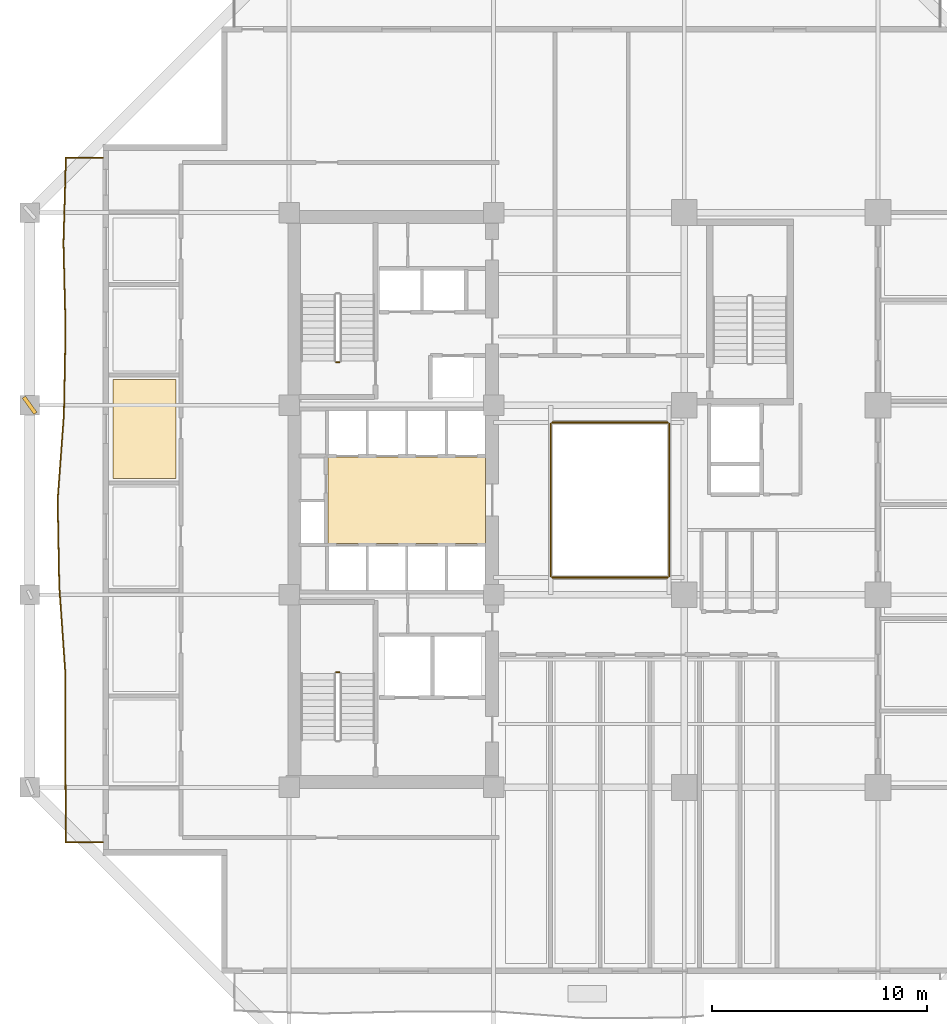
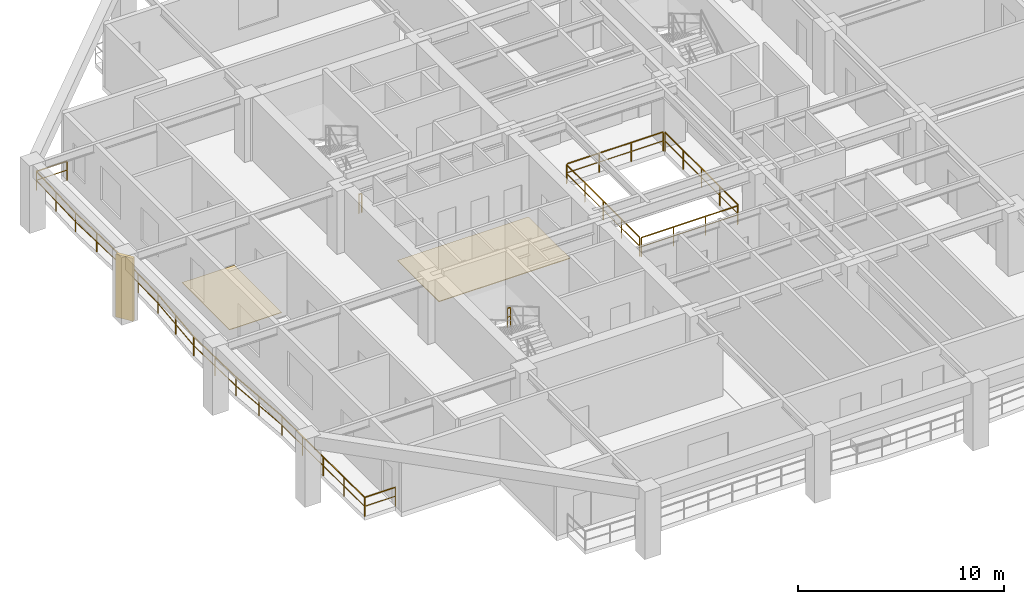
# One storey, part 10 of 14: 7 railings, 2 coverings, 1 shading device.
"""IFC4 building model written with IfcOpenShell, lengths in metres."""

from ifc_helpers import new_model, si_unit, direction, frame, origin, origin_2d, place, context, subcontext, project, spatial, polyline, rectangle, outline, extrude, material, layer, layer_set, type_object, element, save


model = new_model("IFC4")

# Units and contexts
model_context = context("Model", 3, precision=1e-05, world=origin(), true_north=direction((0.0, 1.0)))
body_context = subcontext(model_context, "Body", "Model", "MODEL_VIEW")
ifc_project = project(units=[si_unit("LENGTHUNIT", "METRE"), si_unit("AREAUNIT", "SQUARE_METRE"), si_unit("VOLUMEUNIT", "CUBIC_METRE"), si_unit("PLANEANGLEUNIT", "RADIAN"), si_unit("MASSUNIT", "GRAM", prefix="KILO")], contexts=[model_context])

# Site, building, storey
site_placement = place(None, origin())
site = spatial("IfcSite", under=ifc_project, at=site_placement, CompositionType="ELEMENT")
building_placement = place(site_placement, origin())
building = spatial("IfcBuilding", under=site, at=building_placement, Name="Kundavana Baori Tower", CompositionType="ELEMENT")
storey_placement = place(building_placement, frame((0.0, 0.0, 74.0)))
storey = spatial("IfcBuildingStorey", under=building, at=storey_placement, Name="L17", CompositionType="ELEMENT", Elevation=74.0)

# Coverings
ifc_material_1 = material(Name="Honed Kota Stone and Terrazzo Flooring", Category="masonry")
ifc_layer_1 = layer(ifc_material_1, 0.0400390625, Name="COV-FLR-TERR-40")
ifc_layer_set_1 = layer_set([ifc_layer_1], Name="Honed Kota Stone and Terrazzo Flooring")
covering_type_1 = type_object("IfcCoveringType", Name="COV-FLR-TERR-40", PredefinedType="FLOORING", material=ifc_layer_set_1)
covering_1_placement = place(storey_placement, origin())
element("IfcCovering", 1, at=covering_1_placement, inside=storey, type_object=covering_type_1, Name="L17 Core Lift Lobby Kota Stone Flooring", PredefinedType="FLOORING", context=body_context, shape_type="SweptSolid", body=[
    extrude(outline(polyline([(17.25, 26.580078125), (24.580078125, 26.580078125), (24.580078125, 30.60009765625), (17.25, 30.60009765625), (17.25, 26.580078125)])), origin(), (0.0, 0.0, 1.0), 0.0400390625),
])
ifc_material_2 = material(Name="Honed Kota Stone and Terrazzo Flooring", Category="masonry")
ifc_layer_2 = layer(ifc_material_2, 0.030029296875, Name="COV-INT-FLR")
ifc_layer_set_2 = layer_set([ifc_layer_2], Name="Honed Kota Stone and Terrazzo Flooring")
covering_type_2 = type_object("IfcCoveringType", Name="COV-INT-FLR", PredefinedType="FLOORING", material=ifc_layer_set_2)
covering_2_placement = place(storey_placement, origin())
element("IfcCovering", 2, at=covering_2_placement, inside=storey, type_object=covering_type_2, Name="L17 Room Finished Stone Flooring 4", PredefinedType="FLOORING", context=body_context, shape_type="SweptSolid", body=[
    extrude(outline(polyline([(7.280029296875, 29.60009765625), (10.199951171875, 29.60009765625), (10.199951171875, 34.199951171875), (7.280029296875, 34.199951171875), (7.280029296875, 29.60009765625)])), origin(), (0.0, 0.0, 1.0), 0.030029296875),
])

# Railings
ifc_material_3 = material(Name="Architectural Patinated Bronze Metalwork")
railing_type_1 = type_object("IfcRailingType", Name="RL-BAL-1150", PredefinedType="BALUSTRADE", material=ifc_material_3)
railing_1_placement = place(storey_placement, frame((6.800048828125, 12.699951171875, 0.0)))
element("IfcRailing", 3, at=railing_1_placement, inside=storey, type_object=railing_type_1, Name="L17 Loggia Balcony Balustrade W", PredefinedType="BALUSTRADE", context=body_context, shape_type="SweptSolid", body=[
    extrude(rectangle(XDim=0.048095703125, YDim=0.048095703125, at=origin_2d()), frame((0.0, 0.0, 1.1259765625), z_axis=(-1.0, 0.0, 0.0), x_axis=(0.0, -1.0, 0.0)), (0.0, 0.0, 1.0), 1.719970703125),
    extrude(rectangle(XDim=0.03125, YDim=0.03125, at=origin_2d()), frame((0.0, 0.0, 0.597900390625), z_axis=(-1.0, 0.0, 0.0), x_axis=(0.0, -1.0, 0.0)), (0.0, 0.0, 1.0), 1.719970703125),
    extrude(rectangle(XDim=0.048095703125, YDim=0.048095703125, at=origin_2d()), frame((-1.719970703125, 0.0, 1.1259765625), z_axis=(-0.006571532341, 0.999978407248, 0.0), x_axis=(-0.999978407248, -0.006571532341, 0.0)), (0.0, 0.0, 1.0), 3.97509765625),
    extrude(rectangle(XDim=0.03125, YDim=0.03125, at=origin_2d()), frame((-1.719970703125, 0.0, 0.597900390625), z_axis=(-0.006571532341, 0.999978407248, 0.0), x_axis=(-0.999978407248, -0.006571532341, 0.0)), (0.0, 0.0, 1.0), 3.97509765625),
    extrude(rectangle(XDim=0.048095703125, YDim=0.048095703125, at=origin_2d()), frame((-1.74609375, 3.97509765625, 1.1259765625), z_axis=(-0.002026898361, 0.999997945839, 0.0), x_axis=(-0.999997945839, -0.002026898361, 0.0)), (0.0, 0.0, 1.0), 3.974853515625),
    extrude(rectangle(XDim=0.03125, YDim=0.03125, at=origin_2d()), frame((-1.74609375, 3.97509765625, 0.597900390625), z_axis=(-0.002026898361, 0.999997945839, 0.0), x_axis=(-0.999997945839, -0.002026898361, 0.0)), (0.0, 0.0, 1.0), 3.974853515625),
    extrude(rectangle(XDim=0.048095703125, YDim=0.048095703125, at=origin_2d()), frame((-1.754150390625, 7.949951171875, 1.1259765625), z_axis=(-0.069235254118, 0.997600360659, 0.0), x_axis=(-0.997600360659, -0.069235254118, 0.0)), (0.0, 0.0, 1.0), 3.984619140625),
    extrude(rectangle(XDim=0.03125, YDim=0.03125, at=origin_2d()), frame((-1.754150390625, 7.949951171875, 0.597900390625), z_axis=(-0.069235254118, 0.997600360659, 0.0), x_axis=(-0.997600360659, -0.069235254118, 0.0)), (0.0, 0.0, 1.0), 3.984619140625),
    extrude(rectangle(XDim=0.048095703125, YDim=0.048095703125, at=origin_2d()), frame((-2.030029296875, 11.925048828125, 1.1259765625), z_axis=(-0.018606285904, 0.999826888079, 0.0), x_axis=(-0.999826888079, -0.018606285904, 0.0)), (0.0, 0.0, 1.0), 3.975830078125),
    extrude(rectangle(XDim=0.03125, YDim=0.03125, at=origin_2d()), frame((-2.030029296875, 11.925048828125, 0.597900390625), z_axis=(-0.018606285904, 0.999826888079, 0.0), x_axis=(-0.999826888079, -0.018606285904, 0.0)), (0.0, 0.0, 1.0), 3.975830078125),
    extrude(rectangle(XDim=0.048095703125, YDim=0.048095703125, at=origin_2d()), frame((-2.10400390625, 15.900146484375, 1.1259765625), z_axis=(0.073018735855, 0.997330569177, 0.0), x_axis=(-0.997330569177, 0.073018735855, 0.0)), (0.0, 0.0, 1.0), 3.985595703125),
    extrude(rectangle(XDim=0.03125, YDim=0.03125, at=origin_2d()), frame((-2.10400390625, 15.900146484375, 0.597900390625), z_axis=(0.073018735855, 0.997330569177, 0.0), x_axis=(-0.997330569177, 0.073018735855, 0.0)), (0.0, 0.0, 1.0), 3.985595703125),
    extrude(rectangle(XDim=0.048095703125, YDim=0.048095703125, at=origin_2d()), frame((-1.81298828125, 19.875, 1.1259765625), z_axis=(0.018851826715, 0.999822288524, 0.0), x_axis=(-0.999822288524, 0.018851826715, 0.0)), (0.0, 0.0, 1.0), 3.975830078125),
    extrude(rectangle(XDim=0.03125, YDim=0.03125, at=origin_2d()), frame((-1.81298828125, 19.875, 0.597900390625), z_axis=(0.018851826715, 0.999822288524, 0.0), x_axis=(-0.999822288524, 0.018851826715, 0.0)), (0.0, 0.0, 1.0), 3.975830078125),
    extrude(rectangle(XDim=0.048095703125, YDim=0.048095703125, at=origin_2d()), frame((-1.738037109375, 23.85009765625, 1.1259765625), z_axis=(-0.024377005476, 0.999702836649, 0.0), x_axis=(-0.999702836649, -0.024377005476, 0.0)), (0.0, 0.0, 1.0), 3.97607421875),
    extrude(rectangle(XDim=0.03125, YDim=0.03125, at=origin_2d()), frame((-1.738037109375, 23.85009765625, 0.597900390625), z_axis=(-0.024377005476, 0.999702836649, 0.0), x_axis=(-0.999702836649, -0.024377005476, 0.0)), (0.0, 0.0, 1.0), 3.97607421875),
    extrude(rectangle(XDim=0.048095703125, YDim=0.048095703125, at=origin_2d()), frame((-1.8349609375, 27.824951171875, 1.1259765625), z_axis=(0.028915554299, 0.999581857938, 0.0), x_axis=(-0.999581857938, 0.028915554299, 0.0)), (0.0, 0.0, 1.0), 3.976806640625),
    extrude(rectangle(XDim=0.03125, YDim=0.03125, at=origin_2d()), frame((-1.8349609375, 27.824951171875, 0.597900390625), z_axis=(0.028915554299, 0.999581857938, 0.0), x_axis=(-0.999581857938, 0.028915554299, 0.0)), (0.0, 0.0, 1.0), 3.976806640625),
    extrude(rectangle(XDim=0.048095703125, YDim=0.048095703125, at=origin_2d()), frame((-1.719970703125, 31.800048828125, 1.1259765625), z_axis=(1.0, 0.0, 0.0), x_axis=(0.0, 1.0, 0.0)), (0.0, 0.0, 1.0), 1.719970703125),
    extrude(rectangle(XDim=0.03125, YDim=0.03125, at=origin_2d()), frame((-1.719970703125, 31.800048828125, 0.597900390625), z_axis=(1.0, 0.0, 0.0), x_axis=(0.0, 1.0, 0.0)), (0.0, 0.0, 1.0), 1.719970703125),
    extrude(rectangle(XDim=0.0419921875, YDim=0.0419921875, at=origin_2d()), origin(), (0.0, 0.0, 1.0), 1.101806640625),
    extrude(rectangle(XDim=0.0419921875, YDim=0.0419921875, at=origin_2d()), frame((-1.719970703125, 0.0, 0.0)), (0.0, 0.0, 1.0), 1.101806640625),
    extrude(rectangle(XDim=0.0419921875, YDim=0.0419921875, at=origin_2d()), frame((-1.73291015625, 1.987548828125, 0.0)), (0.0, 0.0, 1.0), 1.101806640625),
    extrude(rectangle(XDim=0.0419921875, YDim=0.0419921875, at=origin_2d()), frame((-1.74609375, 3.97509765625, 0.0)), (0.0, 0.0, 1.0), 1.101806640625),
    extrude(rectangle(XDim=0.0419921875, YDim=0.0419921875, at=origin_2d()), frame((-1.75, 5.96240234375, 0.0)), (0.0, 0.0, 1.0), 1.101806640625),
    extrude(rectangle(XDim=0.0419921875, YDim=0.0419921875, at=origin_2d()), frame((-1.754150390625, 7.949951171875, 0.0)), (0.0, 0.0, 1.0), 1.101806640625),
    extrude(rectangle(XDim=0.0419921875, YDim=0.0419921875, at=origin_2d()), frame((-1.89208984375, 9.9375, 0.0)), (0.0, 0.0, 1.0), 1.101806640625),
    extrude(rectangle(XDim=0.0419921875, YDim=0.0419921875, at=origin_2d()), frame((-2.030029296875, 11.925048828125, 0.0)), (0.0, 0.0, 1.0), 1.101806640625),
    extrude(rectangle(XDim=0.0419921875, YDim=0.0419921875, at=origin_2d()), frame((-2.06689453125, 13.91259765625, 0.0)), (0.0, 0.0, 1.0), 1.101806640625),
    extrude(rectangle(XDim=0.0419921875, YDim=0.0419921875, at=origin_2d()), frame((-2.10400390625, 15.900146484375, 0.0)), (0.0, 0.0, 1.0), 1.101806640625),
    extrude(rectangle(XDim=0.0419921875, YDim=0.0419921875, at=origin_2d()), frame((-1.95849609375, 17.8876953125, 0.0)), (0.0, 0.0, 1.0), 1.101806640625),
    extrude(rectangle(XDim=0.0419921875, YDim=0.0419921875, at=origin_2d()), frame((-1.81298828125, 19.875, 0.0)), (0.0, 0.0, 1.0), 1.101806640625),
    extrude(rectangle(XDim=0.0419921875, YDim=0.0419921875, at=origin_2d()), frame((-1.775390625, 21.862548828125, 0.0)), (0.0, 0.0, 1.0), 1.101806640625),
    extrude(rectangle(XDim=0.0419921875, YDim=0.0419921875, at=origin_2d()), frame((-1.738037109375, 23.85009765625, 0.0)), (0.0, 0.0, 1.0), 1.101806640625),
    extrude(rectangle(XDim=0.0419921875, YDim=0.0419921875, at=origin_2d()), frame((-1.78662109375, 25.83740234375, 0.0)), (0.0, 0.0, 1.0), 1.101806640625),
    extrude(rectangle(XDim=0.0419921875, YDim=0.0419921875, at=origin_2d()), frame((-1.8349609375, 27.824951171875, 0.0)), (0.0, 0.0, 1.0), 1.101806640625),
    extrude(rectangle(XDim=0.0419921875, YDim=0.0419921875, at=origin_2d()), frame((-1.77734375, 29.8125, 0.0)), (0.0, 0.0, 1.0), 1.101806640625),
    extrude(rectangle(XDim=0.0419921875, YDim=0.0419921875, at=origin_2d()), frame((-1.719970703125, 31.800048828125, 0.0)), (0.0, 0.0, 1.0), 1.101806640625),
    extrude(rectangle(XDim=0.0419921875, YDim=0.0419921875, at=origin_2d()), frame((0.0, 31.800048828125, 0.0)), (0.0, 0.0, 1.0), 1.101806640625),
])
ifc_material_4 = material(Name="Architectural Patinated Bronze Metalwork")
railing_type_2 = type_object("IfcRailingType", Name="RL-GRD-1150", PredefinedType="GUARDRAIL", material=ifc_material_4)
for number, where, name in (
    (4, (17.7900390625, 20.60009765625, 2.0), "L17 ST1 stair guard 2"),
    (5, (17.7900390625, 35.0, 0.0), "L17 ST2 stair guard 4"),
):
    element("IfcRailing", number, at=place(storey_placement, frame(where)), inside=storey, type_object=railing_type_2, Name=name, PredefinedType="GUARDRAIL", context=body_context, shape_type="SweptSolid", body=[
        extrude(rectangle(XDim=0.048095703125, YDim=0.048095703125, at=origin_2d()), frame((0.0, 0.0, 1.1259765625), z_axis=(-1.0, 0.0, 0.0), x_axis=(0.0, -1.0, 0.0)), (0.0, 0.0, 1.0), 0.16015625),
        extrude(rectangle(XDim=0.03125, YDim=0.03125, at=origin_2d()), frame((0.0, 0.0, 0.597900390625), z_axis=(-1.0, 0.0, 0.0), x_axis=(0.0, -1.0, 0.0)), (0.0, 0.0, 1.0), 0.16015625),
        extrude(rectangle(XDim=0.0419921875, YDim=0.0419921875, at=origin_2d()), origin(), (0.0, 0.0, 1.0), 1.101806640625),
        extrude(rectangle(XDim=0.0419921875, YDim=0.0419921875, at=origin_2d()), frame((-0.16015625, 0.0, 0.0)), (0.0, 0.0, 1.0), 1.101806640625),
    ])
railing_2_placement = place(storey_placement, frame((27.659912109375, 25.0, 0.0)))
element("IfcRailing", 6, at=railing_2_placement, inside=storey, type_object=railing_type_2, Name="L17 Atrium Void Perimeter Guardrail S", PredefinedType="GUARDRAIL", context=body_context, shape_type="SweptSolid", body=[
    extrude(rectangle(XDim=0.048095703125, YDim=0.048095703125, at=origin_2d()), frame((0.0, 0.0, 1.1259765625), z_axis=(1.0, 0.0, 0.0), x_axis=(0.0, 1.0, 0.0)), (0.0, 0.0, 1.0), 5.380126953125),
    extrude(rectangle(XDim=0.03125, YDim=0.03125, at=origin_2d()), frame((0.0, 0.0, 0.597900390625), z_axis=(1.0, 0.0, 0.0), x_axis=(0.0, 1.0, 0.0)), (0.0, 0.0, 1.0), 5.380126953125),
    extrude(rectangle(XDim=0.0419921875, YDim=0.0419921875, at=origin_2d()), origin(), (0.0, 0.0, 1.0), 1.101806640625),
    extrude(rectangle(XDim=0.0419921875, YDim=0.0419921875, at=origin_2d()), frame((1.79345703125, 0.0, 0.0)), (0.0, 0.0, 1.0), 1.101806640625),
    extrude(rectangle(XDim=0.0419921875, YDim=0.0419921875, at=origin_2d()), frame((3.586669921875, 0.0, 0.0)), (0.0, 0.0, 1.0), 1.101806640625),
    extrude(rectangle(XDim=0.0419921875, YDim=0.0419921875, at=origin_2d()), frame((5.380126953125, 0.0, 0.0)), (0.0, 0.0, 1.0), 1.101806640625),
])
railing_3_placement = place(storey_placement, frame((33.10009765625, 25.06005859375, 0.0)))
element("IfcRailing", 7, at=railing_3_placement, inside=storey, type_object=railing_type_2, Name="L17 Atrium Void Perimeter Guardrail E", PredefinedType="GUARDRAIL", context=body_context, shape_type="SweptSolid", body=[
    extrude(rectangle(XDim=0.048095703125, YDim=0.048095703125, at=origin_2d()), frame((0.0, 0.0, 1.1259765625), z_axis=(0.0, 1.0, 0.0), x_axis=(-1.0, 0.0, 0.0)), (0.0, 0.0, 1.0), 7.079833984375),
    extrude(rectangle(XDim=0.03125, YDim=0.03125, at=origin_2d()), frame((0.0, 0.0, 0.597900390625), z_axis=(0.0, 1.0, 0.0), x_axis=(-1.0, 0.0, 0.0)), (0.0, 0.0, 1.0), 7.079833984375),
    extrude(rectangle(XDim=0.0419921875, YDim=0.0419921875, at=origin_2d()), origin(), (0.0, 0.0, 1.0), 1.101806640625),
    extrude(rectangle(XDim=0.0419921875, YDim=0.0419921875, at=origin_2d()), frame((0.0, 1.77001953125, 0.0)), (0.0, 0.0, 1.0), 1.101806640625),
    extrude(rectangle(XDim=0.0419921875, YDim=0.0419921875, at=origin_2d()), frame((0.0, 3.5400390625, 0.0)), (0.0, 0.0, 1.0), 1.101806640625),
    extrude(rectangle(XDim=0.0419921875, YDim=0.0419921875, at=origin_2d()), frame((0.0, 5.309814453125, 0.0)), (0.0, 0.0, 1.0), 1.101806640625),
    extrude(rectangle(XDim=0.0419921875, YDim=0.0419921875, at=origin_2d()), frame((0.0, 7.079833984375, 0.0)), (0.0, 0.0, 1.0), 1.101806640625),
])
railing_4_placement = place(storey_placement, frame((33.0400390625, 32.199951171875, 0.0)))
element("IfcRailing", 8, at=railing_4_placement, inside=storey, type_object=railing_type_2, Name="L17 Atrium Void Perimeter Guardrail N", PredefinedType="GUARDRAIL", context=body_context, shape_type="SweptSolid", body=[
    extrude(rectangle(XDim=0.048095703125, YDim=0.048095703125, at=origin_2d()), frame((0.0, 0.0, 1.1259765625), z_axis=(-1.0, 0.0, 0.0), x_axis=(0.0, -1.0, 0.0)), (0.0, 0.0, 1.0), 5.380126953125),
    extrude(rectangle(XDim=0.03125, YDim=0.03125, at=origin_2d()), frame((0.0, 0.0, 0.597900390625), z_axis=(-1.0, 0.0, 0.0), x_axis=(0.0, -1.0, 0.0)), (0.0, 0.0, 1.0), 5.380126953125),
    extrude(rectangle(XDim=0.0419921875, YDim=0.0419921875, at=origin_2d()), origin(), (0.0, 0.0, 1.0), 1.101806640625),
    extrude(rectangle(XDim=0.0419921875, YDim=0.0419921875, at=origin_2d()), frame((-1.79345703125, 0.0, 0.0)), (0.0, 0.0, 1.0), 1.101806640625),
    extrude(rectangle(XDim=0.0419921875, YDim=0.0419921875, at=origin_2d()), frame((-3.586669921875, 0.0, 0.0)), (0.0, 0.0, 1.0), 1.101806640625),
    extrude(rectangle(XDim=0.0419921875, YDim=0.0419921875, at=origin_2d()), frame((-5.380126953125, 0.0, 0.0)), (0.0, 0.0, 1.0), 1.101806640625),
])
railing_5_placement = place(storey_placement, frame((27.60009765625, 32.139892578125, 0.0)))
element("IfcRailing", 9, at=railing_5_placement, inside=storey, type_object=railing_type_2, Name="L17 Atrium Void Perimeter Guardrail W", PredefinedType="GUARDRAIL", context=body_context, shape_type="SweptSolid", body=[
    extrude(rectangle(XDim=0.048095703125, YDim=0.048095703125, at=origin_2d()), frame((0.0, 0.0, 1.1259765625), z_axis=(0.0, -1.0, 0.0), x_axis=(1.0, 0.0, 0.0)), (0.0, 0.0, 1.0), 7.079833984375),
    extrude(rectangle(XDim=0.03125, YDim=0.03125, at=origin_2d()), frame((0.0, 0.0, 0.597900390625), z_axis=(0.0, -1.0, 0.0), x_axis=(1.0, 0.0, 0.0)), (0.0, 0.0, 1.0), 7.079833984375),
    extrude(rectangle(XDim=0.0419921875, YDim=0.0419921875, at=origin_2d()), origin(), (0.0, 0.0, 1.0), 1.101806640625),
    extrude(rectangle(XDim=0.0419921875, YDim=0.0419921875, at=origin_2d()), frame((0.0, -1.77001953125, 0.0)), (0.0, 0.0, 1.0), 1.101806640625),
    extrude(rectangle(XDim=0.0419921875, YDim=0.0419921875, at=origin_2d()), frame((0.0, -3.5400390625, 0.0)), (0.0, 0.0, 1.0), 1.101806640625),
    extrude(rectangle(XDim=0.0419921875, YDim=0.0419921875, at=origin_2d()), frame((0.0, -5.309814453125, 0.0)), (0.0, 0.0, 1.0), 1.101806640625),
    extrude(rectangle(XDim=0.0419921875, YDim=0.0419921875, at=origin_2d()), frame((0.0, -7.079833984375, 0.0)), (0.0, 0.0, 1.0), 1.101806640625),
])

# Shading device
ifc_material_5 = material(Name="Red-Buff Dholpur Sandstone Cladding on Concrete C40/50", Category="masonry")
shading_device_type = type_object("IfcShadingDeviceType", Name="SHD-FIN-920", PredefinedType="JALOUSIE", material=ifc_material_5)
shading_device_placement = place(storey_placement, frame((3.39990234375, 33.0, 0.0), z_axis=(0.0, 0.0, 1.0), x_axis=(0.811675940407, 0.584108010358, 0.0)))
element("IfcShadingDevice", 10, at=shading_device_placement, inside=storey, type_object=shading_device_type, Name="L17 Sweeping Dholpur Sandstone Facade Fin 7", PredefinedType="JALOUSIE", context=body_context, shape_type="SweptSolid", body=[
    extrude(rectangle(XDim=0.179931640625, YDim=0.919921875, at=origin_2d()), origin(), (0.0, 0.0, 1.0), 3.719970703125),
])

save(model, "model.ifc")
